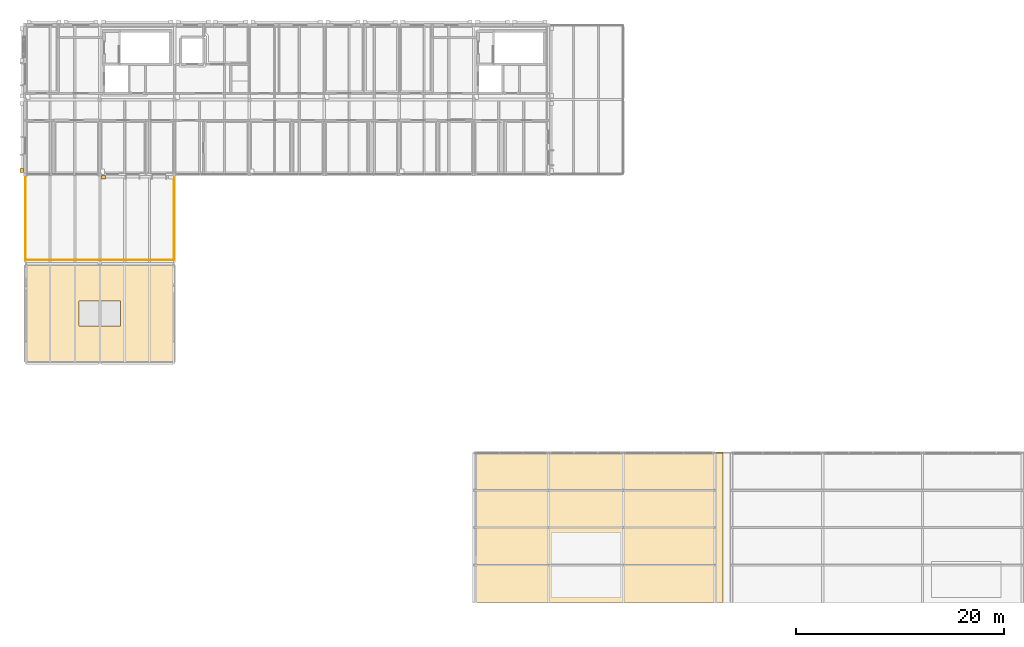
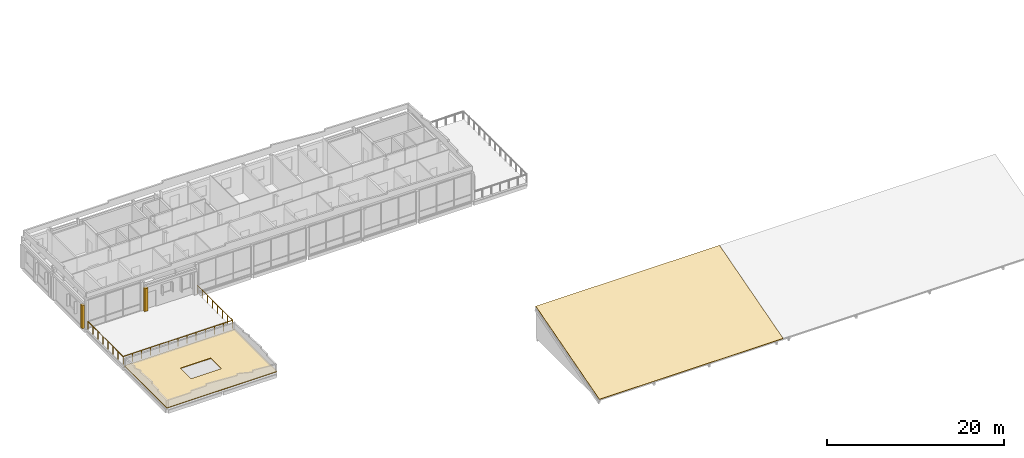
# One storey, part 29 of 32: 4 coverings, 2 railings.
"""IFC4 building model written with IfcOpenShell, lengths in metres."""

from ifc_helpers import new_model, si_unit, direction, frame, origin, origin_2d, place, context, subcontext, project, spatial, polyline, rectangle, circle, outline, extrude, material, layer, layer_set, type_object, element, save


model = new_model("IFC4")

# Units and contexts
model_context = context("Model", 3, precision=1e-05, world=origin(), true_north=direction((0.0, 1.0)))
body_context = subcontext(model_context, "Body", "Model", "MODEL_VIEW")
ifc_project = project(units=[si_unit("LENGTHUNIT", "METRE"), si_unit("AREAUNIT", "SQUARE_METRE"), si_unit("VOLUMEUNIT", "CUBIC_METRE"), si_unit("PLANEANGLEUNIT", "RADIAN"), si_unit("MASSUNIT", "GRAM", prefix="KILO")], contexts=[model_context])

# Site, building, storey
site_placement = place(None, origin())
site = spatial("IfcSite", under=ifc_project, at=site_placement, CompositionType="ELEMENT")
building_placement = place(site_placement, origin())
building = spatial("IfcBuilding", under=site, at=building_placement, Name="Hawrajan Terrace Health Centre", CompositionType="ELEMENT")
storey_placement = place(building_placement, frame((0.0, 0.0, 17.39990234375)))
storey = spatial("IfcBuildingStorey", under=building, at=storey_placement, Name="L04", CompositionType="ELEMENT", Elevation=17.39990234375)

# Coverings
ifc_material_1 = material(Name="Precast concrete C40/50", Category="concrete")
ifc_layer_1 = layer(ifc_material_1, 0.340087890625)
ifc_layer_set_1 = layer_set([ifc_layer_1], Name="Precast concrete C40/50")
covering_type_1 = type_object("IfcCoveringType", Name="ArtDecoStonePilaster", PredefinedType="CLADDING", material=ifc_layer_set_1)
for number, where, z_axis, x_axis, name in (
    (1, (4.304931640625, 45.780029296875, 0.000244140625), (0.0, 0.0, 1.0), (0.0, 1.0, 0.0), "Art Deco fluted limestone pilaster FPIL-L04-0379"),
    (2, (12.159912109375, 45.10498046875, 0.000244140625), (0.0, 0.0, 1.0), (1.0, 0.0, 0.0), "Art Deco fluted limestone pilaster FPIL-L04-0388"),
):
    element("IfcCovering", number, at=place(storey_placement, frame(where, z_axis=z_axis, x_axis=x_axis)), inside=storey, type_object=covering_type_1, Name=name, PredefinedType="CLADDING", context=body_context, shape_type="SweptSolid", body=[
        extrude(rectangle(XDim=0.39990234375, YDim=0.340087890625, at=origin_2d()), origin(), (0.0, 0.0, 1.0), 3.169921875),
    ])
ifc_material_2 = material(Name="Reflective TPO cool-roof membrane and mineral wool")
ifc_layer_2 = layer(ifc_material_2, 0.094970703125)
ifc_layer_set_2 = layer_set([ifc_layer_2], Name="Reflective TPO cool-roof membrane and mineral wool")
covering_type_2 = type_object("IfcCoveringType", Name="CoolMembrane_Roofing", PredefinedType="ROOFING", material=ifc_layer_set_2)
covering_1_placement = place(storey_placement, origin())
element("IfcCovering", 3, at=covering_1_placement, inside=storey, type_object=covering_type_2, Name="Reflective cool-roof membrane L04", PredefinedType="ROOFING", context=body_context, shape_type="SweptSolid", body=[
    extrude(outline(polyline([(4.60009765625, 27.199951171875), (19.0, 27.199951171875), (19.0, 36.800048828125), (4.60009765625, 36.800048828125), (4.60009765625, 27.199951171875)]), holes=[polyline([(9.800048828125, 30.800048828125), (13.800048828125, 30.800048828125), (13.800048828125, 33.199951171875), (9.800048828125, 33.199951171875), (9.800048828125, 30.800048828125)])]), origin(), (0.0, 0.0, 1.0), 0.09521484375),
])
ifc_material_3 = material(Name="Standing-seam zinc roofing and PIR insulation")
ifc_layer_3 = layer(ifc_material_3, 0.0849609375)
ifc_layer_set_3 = layer_set([ifc_layer_3], Name="Standing-seam zinc roofing and PIR insulation")
covering_type_3 = type_object("IfcCoveringType", Name="StandingSeamZinc_Roofing", PredefinedType="ROOFING", material=ifc_layer_set_3)
covering_2_placement = place(storey_placement, frame((47.800048828125, 4.199951171875, 0.085205078125), z_axis=(0.0, -0.275620744215, 0.961266459083), x_axis=(1.0, 0.0, 0.0)))
element("IfcCovering", 4, at=covering_2_placement, inside=storey, type_object=covering_type_3, Name="North-light standing-seam roof W", PredefinedType="ROOFING", context=body_context, shape_type="SweptSolid", body=[
    extrude(outline(polyline([(0.0, 0.0), (23.994873046875, 0.0), (23.994873046875, 14.980390034733631), (0.0, 14.980390034733631), (0.0, 0.0)])), origin(), (0.0, 0.0, -1.0), 0.0849609375),
])

# Railings
ifc_material_4 = material(Name="Anodized bronze post and balustrade guard")
railing_type = type_object("IfcRailingType", Name="TerraceGuard_1120", PredefinedType="GUARDRAIL", material=ifc_material_4)
railing_1_placement = place(storey_placement, frame((4.659912109375, 37.179931640625, 0.0)))
element("IfcRailing", 5, at=railing_1_placement, inside=storey, type_object=railing_type, Name="Terrace perimeter guard L04-015", PredefinedType="GUARDRAIL", context=body_context, shape_type="SweptSolid", body=[
    extrude(circle(Radius=0.02392578125, at=origin_2d()), frame((0.0, 0.02880859375, 1.09619140625), z_axis=(0.0, 1.0, 0.0), x_axis=(-1.0, 0.0, 0.0)), (0.0, 0.0, 1.0), 7.9423828125),
    extrude(circle(Radius=0.02099609375, at=origin_2d()), origin(), (0.0, 0.0, 1.0), 1.067138671875),
    extrude(circle(Radius=0.02099609375, at=origin_2d()), frame((0.0, 1.142822265625, 0.0)), (0.0, 0.0, 1.0), 1.067138671875),
    extrude(circle(Radius=0.02099609375, at=origin_2d()), frame((0.0, 2.28564453125, 0.0)), (0.0, 0.0, 1.0), 1.067138671875),
    extrude(circle(Radius=0.02099609375, at=origin_2d()), frame((0.0, 3.428466796875, 0.0)), (0.0, 0.0, 1.0), 1.067138671875),
    extrude(circle(Radius=0.02099609375, at=origin_2d()), frame((0.0, 4.571533203125, 0.0)), (0.0, 0.0, 1.0), 1.067138671875),
    extrude(circle(Radius=0.02099609375, at=origin_2d()), frame((0.0, 5.71435546875, 0.0)), (0.0, 0.0, 1.0), 1.067138671875),
    extrude(circle(Radius=0.02099609375, at=origin_2d()), frame((0.0, 6.857177734375, 0.0)), (0.0, 0.0, 1.0), 1.067138671875),
    extrude(circle(Radius=0.02099609375, at=origin_2d()), frame((0.0, 8.0, 0.0)), (0.0, 0.0, 1.0), 1.067138671875),
])
railing_2_placement = place(storey_placement, frame((18.93994140625, 45.179931640625, 0.0)))
element("IfcRailing", 6, at=railing_2_placement, inside=storey, type_object=railing_type, Name="Terrace perimeter guard L04-016", PredefinedType="GUARDRAIL", context=body_context, shape_type="SweptSolid", body=[
    extrude(circle(Radius=0.02392578125, at=origin_2d()), frame((0.0, -0.02880859375, 1.09619140625), z_axis=(0.0, -1.0, 0.0), x_axis=(1.0, 0.0, 0.0)), (0.0, 0.0, 1.0), 7.9423828125),
    extrude(circle(Radius=0.02392578125, at=origin_2d()), frame((-0.02880859375, -8.0, 1.09619140625), z_axis=(-1.0, 0.0, 0.0), x_axis=(0.0, -1.0, 0.0)), (0.0, 0.0, 1.0), 14.222412109375),
    extrude(circle(Radius=0.02099609375, at=origin_2d()), origin(), (0.0, 0.0, 1.0), 1.067138671875),
    extrude(circle(Radius=0.02099609375, at=origin_2d()), frame((0.0, -1.142822265625, 0.0)), (0.0, 0.0, 1.0), 1.067138671875),
    extrude(circle(Radius=0.02099609375, at=origin_2d()), frame((0.0, -2.28564453125, 0.0)), (0.0, 0.0, 1.0), 1.067138671875),
    extrude(circle(Radius=0.02099609375, at=origin_2d()), frame((0.0, -3.428466796875, 0.0)), (0.0, 0.0, 1.0), 1.067138671875),
    extrude(circle(Radius=0.02099609375, at=origin_2d()), frame((0.0, -4.571533203125, 0.0)), (0.0, 0.0, 1.0), 1.067138671875),
    extrude(circle(Radius=0.02099609375, at=origin_2d()), frame((0.0, -5.71435546875, 0.0)), (0.0, 0.0, 1.0), 1.067138671875),
    extrude(circle(Radius=0.02099609375, at=origin_2d()), frame((0.0, -6.857177734375, 0.0)), (0.0, 0.0, 1.0), 1.067138671875),
    extrude(circle(Radius=0.02099609375, at=origin_2d()), frame((0.0, -8.0, 0.0)), (0.0, 0.0, 1.0), 1.067138671875),
    extrude(circle(Radius=0.02099609375, at=origin_2d()), frame((-1.18994140625, -8.0, 0.0)), (0.0, 0.0, 1.0), 1.067138671875),
    extrude(circle(Radius=0.02099609375, at=origin_2d()), frame((-2.3798828125, -8.0, 0.0)), (0.0, 0.0, 1.0), 1.067138671875),
    extrude(circle(Radius=0.02099609375, at=origin_2d()), frame((-3.570068359375, -8.0, 0.0)), (0.0, 0.0, 1.0), 1.067138671875),
    extrude(circle(Radius=0.02099609375, at=origin_2d()), frame((-4.760009765625, -8.0, 0.0)), (0.0, 0.0, 1.0), 1.067138671875),
    extrude(circle(Radius=0.02099609375, at=origin_2d()), frame((-5.949951171875, -8.0, 0.0)), (0.0, 0.0, 1.0), 1.067138671875),
    extrude(circle(Radius=0.02099609375, at=origin_2d()), frame((-7.14013671875, -8.0, 0.0)), (0.0, 0.0, 1.0), 1.067138671875),
    extrude(circle(Radius=0.02099609375, at=origin_2d()), frame((-8.330078125, -8.0, 0.0)), (0.0, 0.0, 1.0), 1.067138671875),
    extrude(circle(Radius=0.02099609375, at=origin_2d()), frame((-9.52001953125, -8.0, 0.0)), (0.0, 0.0, 1.0), 1.067138671875),
    extrude(circle(Radius=0.02099609375, at=origin_2d()), frame((-10.7099609375, -8.0, 0.0)), (0.0, 0.0, 1.0), 1.067138671875),
    extrude(circle(Radius=0.02099609375, at=origin_2d()), frame((-11.89990234375, -8.0, 0.0)), (0.0, 0.0, 1.0), 1.067138671875),
    extrude(circle(Radius=0.02099609375, at=origin_2d()), frame((-13.090087890625, -8.0, 0.0)), (0.0, 0.0, 1.0), 1.067138671875),
    extrude(circle(Radius=0.02099609375, at=origin_2d()), frame((-14.280029296875, -8.0, 0.0)), (0.0, 0.0, 1.0), 1.067138671875),
])

save(model, "model.ifc")
